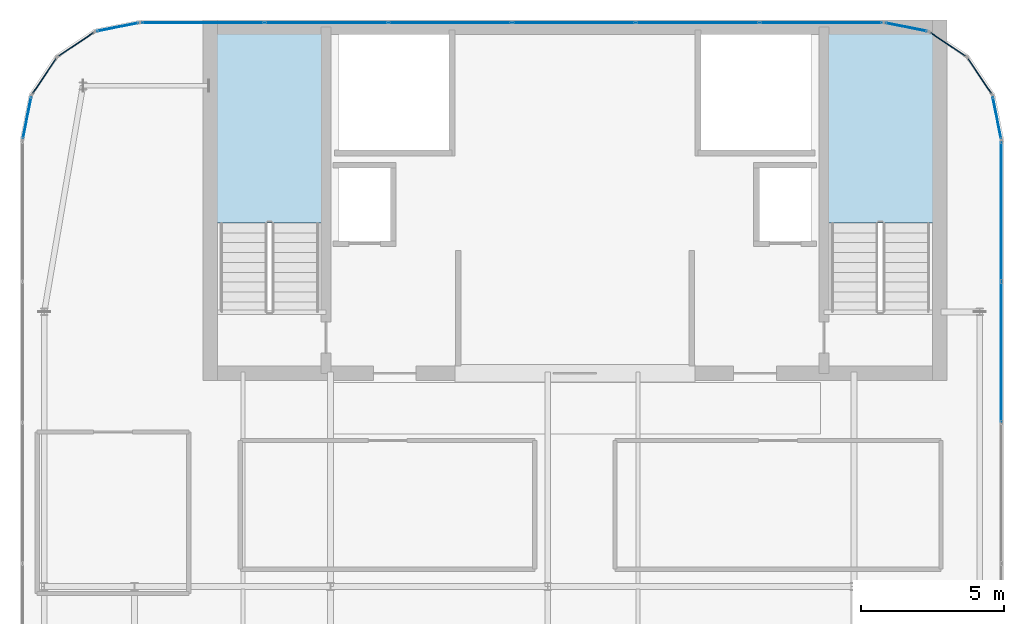
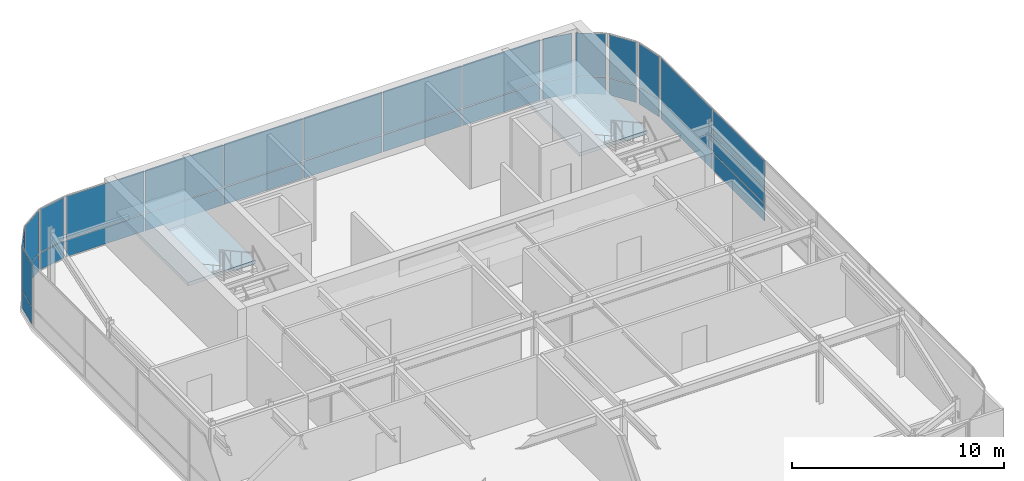
# One storey, part 30 of 36: 32 plates, 2 slabs, 12 elements without a shape of their own.
"""IFC4 building model written with IfcOpenShell, lengths in metres."""

import ifcopenshell
import ifcopenshell.guid

model = None  # the IFC model being written
_history = None  # IfcOwnerHistory: only IFC2X3 demands one
_inside = {}  # id of a spatial element -> (the spatial element, [elements in it])
_under = {}  # id of a project, library or spatial element -> (it, [spatial elements below it])
_declared = {}  # id of a project -> (the project, [libraries it declares])
_typed = {}  # id of a type object -> (the type object, [elements of that type])
_made_of = {}  # id of a material, layer set ... -> (it, [elements and type objects made of it])


def new_model(schema):
    """Start an empty IFC model of exactly this schema.

    Asked for "IFC4X3", IfcOpenShell would pick the latest addendum, in which some entities
    have other attributes; the version numbers below select the first issue.
    IFC2X3 requires an IfcOwnerHistory on every rooted entity: one is made here for all.
    """
    global model, _history
    if schema == "IFC4X3":
        model = ifcopenshell.file(schema_version=(4, 3, 0, 0))
    else:
        model = ifcopenshell.file(schema=schema)
    _inside.clear()
    _under.clear()
    _declared.clear()
    _typed.clear()
    _made_of.clear()
    _history = None
    if model.schema == "IFC2X3":
        org = make("IfcOrganization", Name="unknown")
        user = make(
            "IfcPersonAndOrganization",
            ThePerson=make("IfcPerson", FamilyName="unknown"),
            TheOrganization=org,
        )
        app = make(
            "IfcApplication",
            ApplicationDeveloper=org,
            Version="unknown",
            ApplicationFullName="unknown",
            ApplicationIdentifier="unknown",
        )
        _history = make(
            "IfcOwnerHistory",
            OwningUser=user,
            OwningApplication=app,
            ChangeAction="ADDED",
            CreationDate=0,
        )
    return model


def make(cls, **values):
    """One entity of the class cls with the attributes given. An attribute that is None is left unset."""
    return model.create_entity(
        cls, **{name: value for name, value in values.items() if value is not None}
    )


def rooted(cls, **values):
    """An entity with a GlobalId (a new one), such as an element, a storey or a relation."""
    return make(cls, GlobalId=ifcopenshell.guid.new(), OwnerHistory=_history, **values)


def si_unit(unit_type, name, prefix=None):
    """IfcSIUnit, for example si_unit("LENGTHUNIT", "METRE", prefix="MILLI")."""
    return make("IfcSIUnit", UnitType=unit_type, Prefix=prefix, Name=name)


def assignment(units):
    """IfcUnitAssignment: the units of a project."""
    return None if units is None else make("IfcUnitAssignment", Units=units)


def point(xyz):
    """IfcCartesianPoint."""
    return None if xyz is None else make("IfcCartesianPoint", Coordinates=xyz)


def direction(xyz):
    """IfcDirection."""
    return None if xyz is None else make("IfcDirection", DirectionRatios=xyz)


def frame(location, z_axis=None, x_axis=None):
    """IfcAxis2Placement3D, a coordinate frame: its origin and axes. An axis left out is left unset."""
    return make(
        "IfcAxis2Placement3D",
        Location=point(location),
        Axis=direction(z_axis),
        RefDirection=direction(x_axis),
    )


def frame_2d(location, x_axis=None):
    """IfcAxis2Placement2D, a coordinate frame in the plane: its origin and x axis."""
    return make(
        "IfcAxis2Placement2D", Location=point(location), RefDirection=direction(x_axis)
    )


def origin():
    """The frame at (0, 0, 0) with its axes left unset."""
    return frame((0.0, 0.0, 0.0))


def origin_2d():
    """The frame at (0, 0) in the plane with its x axis left unset."""
    return frame_2d((0.0, 0.0))


def place(relative_to, where):
    """IfcLocalPlacement: puts the frame where relative to a parent placement (None: the world)."""
    return make(
        "IfcLocalPlacement", PlacementRelTo=relative_to, RelativePlacement=where
    )


def context(
    kind, dimensions, precision=None, world=None, true_north=None, identifier=None
):
    """IfcGeometricRepresentationContext, for example the 3D "Model" context."""
    return make(
        "IfcGeometricRepresentationContext",
        ContextIdentifier=identifier,
        ContextType=kind,
        CoordinateSpaceDimension=dimensions,
        Precision=precision,
        WorldCoordinateSystem=world,
        TrueNorth=true_north,
    )


def subcontext(parent, identifier, kind, view, scale=None):
    """IfcGeometricRepresentationSubContext, for example "Body" below "Model"."""
    return make(
        "IfcGeometricRepresentationSubContext",
        ContextIdentifier=identifier,
        ContextType=kind,
        ParentContext=parent,
        TargetScale=scale,
        TargetView=view,
    )


def project(units=None, contexts=None):
    """IfcProject with its units and contexts."""
    return rooted(
        "IfcProject",
        Name="project",
        RepresentationContexts=contexts,
        UnitsInContext=assignment(units),
    )


def spatial(cls, under=None, at=None, **own):
    """A site, building, storey or space (cls), placed at a placement, below another one or the project."""
    s = rooted(cls, ObjectPlacement=at, **own)
    if under is not None:
        _under.setdefault(under.id(), (under, []))[1].append(s)
    return s


def polyline(points):
    """IfcPolyline through the points."""
    return make("IfcPolyline", Points=[point(p) for p in points])


def profile(cls, at=None, kind="AREA", **sizes):
    """A parametric profile (cls). Its sizes go by their IFC names, for example OverallWidth=200.0."""
    return make(cls, ProfileType=kind, Position=at, **sizes)


def rectangle(**sizes):
    """IfcRectangleProfileDef."""
    return profile("IfcRectangleProfileDef", **sizes)


def outline(outer, holes=None, kind="AREA"):
    """IfcArbitraryClosedProfileDef: a profile drawn as a closed curve; with holes, ...WithVoids."""
    if holes is None:
        return make("IfcArbitraryClosedProfileDef", ProfileType=kind, OuterCurve=outer)
    return make(
        "IfcArbitraryProfileDefWithVoids",
        ProfileType=kind,
        OuterCurve=outer,
        InnerCurves=holes,
    )


def extrude(swept, where, along, depth):
    """IfcExtrudedAreaSolid: the profile swept, set in the frame where, extruded along a direction by depth."""
    return make(
        "IfcExtrudedAreaSolid",
        SweptArea=swept,
        Position=where,
        ExtrudedDirection=direction(along),
        Depth=depth,
    )


def shape(context_of_items, identifier, shape_type, items):
    """IfcShapeRepresentation: the items that make up one representation, for example the "Body"."""
    return make(
        "IfcShapeRepresentation",
        ContextOfItems=context_of_items,
        RepresentationIdentifier=identifier,
        RepresentationType=shape_type,
        Items=items,
    )


def source(mapping_origin, context_of_items, identifier, shape_type, items):
    """IfcRepresentationMap: a shape defined once, which mapped items show again and again."""
    return make(
        "IfcRepresentationMap",
        MappingOrigin=mapping_origin,
        MappedRepresentation=shape(context_of_items, identifier, shape_type, items),
    )


def transform(
    local_origin,
    x_axis=None,
    y_axis=None,
    z_axis=None,
    scale=None,
    scale2=None,
    scale3=None,
    uniform=True,
):
    """IfcCartesianTransformationOperator3D, or its non-uniform kind. x_axis, y_axis, z_axis: its Axis1, 2, 3."""
    if uniform:
        return make(
            "IfcCartesianTransformationOperator3D",
            Axis1=direction(x_axis),
            Axis2=direction(y_axis),
            LocalOrigin=point(local_origin),
            Scale=scale,
            Axis3=direction(z_axis),
        )
    return make(
        "IfcCartesianTransformationOperator3DnonUniform",
        Axis1=direction(x_axis),
        Axis2=direction(y_axis),
        LocalOrigin=point(local_origin),
        Scale=scale,
        Axis3=direction(z_axis),
        Scale2=scale2,
        Scale3=scale3,
    )


def mapped(mapping_source, mapping_target):
    """IfcMappedItem: shows the shape of a source again, moved by a transform."""
    return make(
        "IfcMappedItem", MappingSource=mapping_source, MappingTarget=mapping_target
    )


def material(Name=None, Category=None):
    """IfcMaterial."""
    return make("IfcMaterial", Name=Name, Category=Category)


def layer(
    of_material, thickness, ventilated=None, Name=None, Category=None, Priority=None
):
    """IfcMaterialLayer: one layer of a wall or slab, of a material (None: an air gap)."""
    return make(
        "IfcMaterialLayer",
        Material=of_material,
        LayerThickness=thickness,
        IsVentilated=ventilated,
        Name=Name,
        Category=Category,
        Priority=Priority,
    )


def layer_set(layers, Name=None):
    """IfcMaterialLayerSet."""
    return make("IfcMaterialLayerSet", MaterialLayers=layers, LayerSetName=Name)


def made_of(thing, what):
    """Note that an element or type object is made of a material, layer set ...; save() writes the relation."""
    if what is not None:
        _made_of.setdefault(what.id(), (what, []))[1].append(thing)
    return thing


def type_object(cls, material=None, **own):
    """A type object (cls), such as IfcWallType, which elements share."""
    return made_of(rooted(cls, **own), material)


def type_shapes(of_type, sources):
    """Give a type object the sources (RepresentationMaps) that its elements show as mapped items."""
    of_type.RepresentationMaps = sources


def element(
    cls,
    number,
    at=None,
    inside=None,
    cuts=None,
    type_object=None,
    material=None,
    context=None,
    identifier="Body",
    shape_type=None,
    held_by="IfcProductDefinitionShape",
    body=None,
    shapes=None,
    **own,
):
    """One element of the class cls, such as IfcWall. Its Tag is "e" and its number.

    at: its placement. inside: the storey or other place that contains it. cuts: it is an
    opening in that element (IfcRelVoidsElement). A single representation is given by context,
    identifier, shape_type and body (its items); several are given by shapes. held_by: the class
    of the entity that holds the representations. save() writes the other relations.
    """
    e = rooted(cls, Tag="e%d" % number, ObjectPlacement=at, **own)
    if body is not None:
        shapes = [shape(context, identifier, shape_type, body)]
    if shapes is not None:
        e.Representation = make(held_by, Representations=shapes)
    if inside is not None:
        _inside.setdefault(inside.id(), (inside, []))[1].append(e)
    if cuts is not None:
        rooted(
            "IfcRelVoidsElement", RelatingBuildingElement=cuts, RelatedOpeningElement=e
        )
    if type_object is not None:
        _typed.setdefault(type_object.id(), (type_object, []))[1].append(e)
    return made_of(e, material)


def aggregate(whole, parts):
    """IfcRelAggregates: a whole, such as a stair, and the parts it consists of."""
    return rooted("IfcRelAggregates", RelatingObject=whole, RelatedObjects=parts)


def save(model, path):
    """Write the relations noted so far, then the file.

    IfcRelAggregates (storeys below a building ...), IfcRelContainedInSpatialStructure (elements
    in a storey), IfcRelDefinesByType, IfcRelAssociatesMaterial and IfcRelDeclares: one each for
    every whole, place, type object, material and project.
    """
    for whole, parts in _under.values():
        aggregate(whole, parts)
    for where, things in _inside.values():
        rooted(
            "IfcRelContainedInSpatialStructure",
            RelatedElements=things,
            RelatingStructure=where,
        )
    for kind, things in _typed.values():
        rooted("IfcRelDefinesByType", RelatedObjects=things, RelatingType=kind)
    for what, things in _made_of.values():
        rooted("IfcRelAssociatesMaterial", RelatedObjects=things, RelatingMaterial=what)
    for by, libraries in _declared.values():
        rooted("IfcRelDeclares", RelatingContext=by, RelatedDefinitions=libraries)
    model.write(path)


model = new_model("IFC4")

# Units and contexts
model_context = context("Model", 3, precision=1e-05, world=origin(), true_north=direction((0.0, 1.0)))
body_context = subcontext(model_context, "Body", "Model", "MODEL_VIEW")
ifc_project = project(units=[si_unit("LENGTHUNIT", "METRE"), si_unit("AREAUNIT", "SQUARE_METRE"), si_unit("VOLUMEUNIT", "CUBIC_METRE"), si_unit("PLANEANGLEUNIT", "RADIAN"), si_unit("MASSUNIT", "GRAM", prefix="KILO")], contexts=[model_context])

# Site, building, storey
site_placement = place(None, origin())
site = spatial("IfcSite", under=ifc_project, at=site_placement, CompositionType="ELEMENT")
building_placement = place(site_placement, origin())
building = spatial("IfcBuilding", under=site, at=building_placement, Name="Tolvann Quenvar Hotel", CompositionType="ELEMENT")
storey_placement = place(building_placement, frame((0.0, 0.0, 294.75)))
storey = spatial("IfcBuildingStorey", under=building, at=storey_placement, Name="L78", CompositionType="ELEMENT", Elevation=294.75)

# Stair, slab
ifc_material_1 = material(Name="Concrete N40 (40 MPa)", Category="concrete")
stair_type = type_object("IfcStairType", Name="STAIR", PredefinedType="HALF_TURN_STAIR", material=ifc_material_1)
stair_1_placement = place(storey_placement, origin())
stair_1 = element("IfcStair", 1, at=stair_1_placement, inside=storey, type_object=stair_type, Name="L78 ST-C1", PredefinedType="HALF_TURN_STAIR")
ifc_layer_1 = layer(ifc_material_1, 0.199951171875)
ifc_layer_set_1 = layer_set([ifc_layer_1], Name="Concrete N40 (40 MPa)")
slab_type = type_object("IfcSlabType", Name="SLAB_LANDING", PredefinedType="LANDING", material=ifc_layer_set_1)
slab_1_placement = place(storey_placement, frame((0.0, 0.0, 1.699951171875)))
slab_1 = element("IfcSlab", 2, at=slab_1_placement, type_object=slab_type, Name="ST-C1 landing 1", PredefinedType="LANDING", context=body_context, shape_type="SweptSolid", body=[
    extrude(outline(polyline([(14.179931640625, 37.10498046875), (14.179931640625, 43.8798828125), (10.469970703125, 43.8798828125), (10.469970703125, 37.10498046875), (14.179931640625, 37.10498046875)])), origin(), (0.0, 0.0, 1.0), 0.199951171875),
])
aggregate(stair_1, [slab_1])

stair_2_placement = place(storey_placement, origin())
stair_2 = element("IfcStair", 3, at=stair_2_placement, inside=storey, type_object=stair_type, Name="L78 ST-C2", PredefinedType="HALF_TURN_STAIR")
slab_2_placement = place(storey_placement, frame((0.0, 0.0, 1.699951171875)))
slab_2 = element("IfcSlab", 4, at=slab_2_placement, type_object=slab_type, Name="ST-C2 landing 1", PredefinedType="LANDING", context=body_context, shape_type="SweptSolid", body=[
    extrude(outline(polyline([(35.530029296875, 37.10498046875), (35.530029296875, 43.8798828125), (31.820068359375, 43.8798828125), (31.820068359375, 37.10498046875), (35.530029296875, 37.10498046875)])), origin(), (0.0, 0.0, 1.0), 0.199951171875),
])
aggregate(stair_2, [slab_2])

# Curtain wall, plate
ifc_material_2 = material(Name="Thermally broken anodised architectural aluminium 6063-T6 and laminated low-E glass", Category="aluminium")
ifc_layer_2 = layer(ifc_material_2, 0.179931640625)
ifc_layer_set_2 = layer_set([ifc_layer_2], Name="Thermally broken anodised architectural aluminium 6063-T6 and laminated low-E glass")
curtain_wall_type = type_object("IfcCurtainWallType", Name="CW_SYS_LANT_06", PredefinedType="USERDEFINED", material=ifc_layer_set_2)
curtain_wall_1_placement = place(storey_placement, origin())
curtain_wall_1 = element("IfcCurtainWall", 5, at=curtain_wall_1_placement, inside=storey, type_object=curtain_wall_type, Name="Curtain Wall CW-LANT-06 (CWR-L78-E11)", ObjectType="UNITISED CURTAIN WALL", PredefinedType="USERDEFINED")
ifc_material_3 = material(Name="Diffused translucent ceramic-frit laminated lantern glass", Category="glass")
ifc_layer_3 = layer(ifc_material_3, 0.031982421875)
ifc_layer_set_3 = layer_set([ifc_layer_3], Name="Diffused translucent ceramic-frit laminated lantern glass")
plate_type = type_object("IfcPlateType", Name="CW_PAN_LANT_32", PredefinedType="CURTAIN_PANEL", material=ifc_layer_set_3)
shared_shape_1 = source(origin(), body_context, "Body", "SweptSolid", [
    extrude(rectangle(XDim=1.439208984375, YDim=0.031982421875, at=origin_2d()), origin(), (0.0, 0.0, 1.0), 0.97509765625),
])
plate_1_placement = place(storey_placement, frame((37.150146484375, 42.238525390625, 0.050048828125), z_axis=(0.0, 0.0, 1.0), x_axis=(-0.555655769644, 0.831412452193, 0.0)))
plate_1 = element("IfcPlate", 6, at=plate_1_placement, type_object=plate_type, Name="CW-LANT-06 panel 1.1", PredefinedType="CURTAIN_PANEL", context=body_context, shape_type="MappedRepresentation", body=[
    mapped(shared_shape_1, transform((0.0, 0.0, 0.0), x_axis=(1.0, 0.0, 0.0), y_axis=(0.0, 1.0, 0.0), z_axis=(0.0, 0.0, 1.0), scale=1.0)),
])

curtain_wall_2_placement = place(storey_placement, origin())
curtain_wall_2 = element("IfcCurtainWall", 7, at=curtain_wall_2_placement, inside=storey, type_object=curtain_wall_type, Name="Curtain Wall CW-LANT-06 (CWR-L78-E12)", ObjectType="UNITISED CURTAIN WALL", PredefinedType="USERDEFINED")
plate_2_placement = place(storey_placement, frame((36.03857421875, 43.350341796875, 0.050048828125), z_axis=(0.0, 0.0, 1.0), x_axis=(-0.831412452193, 0.555655769644, 0.0)))
plate_2 = element("IfcPlate", 8, at=plate_2_placement, type_object=plate_type, Name="CW-LANT-06 panel 1.1", PredefinedType="CURTAIN_PANEL", context=body_context, shape_type="MappedRepresentation", body=[
    mapped(shared_shape_1, transform((0.0, 0.0, 0.0), x_axis=(1.0, 0.0, 0.0), y_axis=(0.0, 1.0, 0.0), z_axis=(0.0, 0.0, 1.0), scale=1.0)),
])

curtain_wall_3_placement = place(storey_placement, origin())
curtain_wall_3 = element("IfcCurtainWall", 9, at=curtain_wall_3_placement, inside=storey, type_object=curtain_wall_type, Name="Curtain Wall CW-LANT-06 (CWR-L78-E16)", ObjectType="UNITISED CURTAIN WALL", PredefinedType="USERDEFINED")
plate_3_placement = place(storey_placement, frame((5.5615234375, 43.350341796875, 0.050048828125), z_axis=(0.0, 0.0, 1.0), x_axis=(-0.831412452193, -0.555655769644, 0.0)))
plate_3 = element("IfcPlate", 10, at=plate_3_placement, type_object=plate_type, Name="CW-LANT-06 panel 1.1", PredefinedType="CURTAIN_PANEL", context=body_context, shape_type="MappedRepresentation", body=[
    mapped(shared_shape_1, transform((0.0, 0.0, 0.0), x_axis=(1.0, 0.0, 0.0), y_axis=(0.0, 1.0, 0.0), z_axis=(0.0, 0.0, 1.0), scale=1.0)),
])

curtain_wall_4_placement = place(storey_placement, origin())
curtain_wall_4 = element("IfcCurtainWall", 11, at=curtain_wall_4_placement, inside=storey, type_object=curtain_wall_type, Name="Curtain Wall CW-LANT-06 (CWR-L78-E17)", ObjectType="UNITISED CURTAIN WALL", PredefinedType="USERDEFINED")
plate_4_placement = place(storey_placement, frame((4.44970703125, 42.238525390625, 0.050048828125), z_axis=(0.0, 0.0, 1.0), x_axis=(-0.555655769644, -0.831412452193, 0.0)))
plate_4 = element("IfcPlate", 12, at=plate_4_placement, type_object=plate_type, Name="CW-LANT-06 panel 1.1", PredefinedType="CURTAIN_PANEL", context=body_context, shape_type="MappedRepresentation", body=[
    mapped(shared_shape_1, transform((0.0, 0.0, 0.0), x_axis=(1.0, 0.0, 0.0), y_axis=(0.0, 1.0, 0.0), z_axis=(0.0, 0.0, 1.0), scale=1.0)),
])

# Plate
shared_shape_2 = source(origin(), body_context, "Body", "SweptSolid", [
    extrude(rectangle(XDim=1.439208984375, YDim=0.031982421875, at=origin_2d()), origin(), (0.0, 0.0, 1.0), 2.455078125),
])
plate_5_placement = place(storey_placement, frame((37.150146484375, 42.238525390625, 1.074951171875), z_axis=(0.0, 0.0, 1.0), x_axis=(-0.555655769644, 0.831412452193, 0.0)))
plate_5 = element("IfcPlate", 13, at=plate_5_placement, type_object=plate_type, Name="CW-LANT-06 panel 1.2", PredefinedType="CURTAIN_PANEL", context=body_context, shape_type="MappedRepresentation", body=[
    mapped(shared_shape_2, transform((0.0, 0.0, 0.0), x_axis=(1.0, 0.0, 0.0), y_axis=(0.0, 1.0, 0.0), z_axis=(0.0, 0.0, 1.0), scale=1.0)),
])

aggregate(curtain_wall_1, [plate_1, plate_5])

plate_6_placement = place(storey_placement, frame((36.03857421875, 43.350341796875, 1.074951171875), z_axis=(0.0, 0.0, 1.0), x_axis=(-0.831412452193, 0.555655769644, 0.0)))
plate_6 = element("IfcPlate", 14, at=plate_6_placement, type_object=plate_type, Name="CW-LANT-06 panel 1.2", PredefinedType="CURTAIN_PANEL", context=body_context, shape_type="MappedRepresentation", body=[
    mapped(shared_shape_2, transform((0.0, 0.0, 0.0), x_axis=(1.0, 0.0, 0.0), y_axis=(0.0, 1.0, 0.0), z_axis=(0.0, 0.0, 1.0), scale=1.0)),
])

aggregate(curtain_wall_2, [plate_2, plate_6])

plate_7_placement = place(storey_placement, frame((5.5615234375, 43.350341796875, 1.074951171875), z_axis=(0.0, 0.0, 1.0), x_axis=(-0.831412452193, -0.555655769644, 0.0)))
plate_7 = element("IfcPlate", 15, at=plate_7_placement, type_object=plate_type, Name="CW-LANT-06 panel 1.2", PredefinedType="CURTAIN_PANEL", context=body_context, shape_type="MappedRepresentation", body=[
    mapped(shared_shape_2, transform((0.0, 0.0, 0.0), x_axis=(1.0, 0.0, 0.0), y_axis=(0.0, 1.0, 0.0), z_axis=(0.0, 0.0, 1.0), scale=1.0)),
])

aggregate(curtain_wall_3, [plate_3, plate_7])

plate_8_placement = place(storey_placement, frame((4.44970703125, 42.238525390625, 1.074951171875), z_axis=(0.0, 0.0, 1.0), x_axis=(-0.555655769644, -0.831412452193, 0.0)))
plate_8 = element("IfcPlate", 16, at=plate_8_placement, type_object=plate_type, Name="CW-LANT-06 panel 1.2", PredefinedType="CURTAIN_PANEL", context=body_context, shape_type="MappedRepresentation", body=[
    mapped(shared_shape_2, transform((0.0, 0.0, 0.0), x_axis=(1.0, 0.0, 0.0), y_axis=(0.0, 1.0, 0.0), z_axis=(0.0, 0.0, 1.0), scale=1.0)),
])

aggregate(curtain_wall_4, [plate_4, plate_8])

# Curtain wall, plate
curtain_wall_5_placement = place(storey_placement, origin())
curtain_wall_5 = element("IfcCurtainWall", 17, at=curtain_wall_5_placement, inside=storey, type_object=curtain_wall_type, Name="Curtain Wall CW-LANT-06 (CWR-L78-E10)", ObjectType="UNITISED CURTAIN WALL", PredefinedType="USERDEFINED")
shared_shape_3 = source(origin(), body_context, "Body", "SweptSolid", [
    extrude(rectangle(XDim=1.456787109375, YDim=0.031982421875, at=origin_2d()), origin(), (0.0, 0.0, 1.0), 0.97509765625),
])
plate_9_placement = place(storey_placement, frame((37.753662109375, 40.777587890625, 0.050048828125), z_axis=(0.0, 0.0, 1.0), x_axis=(-0.195061569369, 0.980790999222, 0.0)))
plate_9 = element("IfcPlate", 18, at=plate_9_placement, type_object=plate_type, Name="CW-LANT-06 panel 1.1", PredefinedType="CURTAIN_PANEL", context=body_context, shape_type="MappedRepresentation", body=[
    mapped(shared_shape_3, transform((0.0, 0.0, 0.0), x_axis=(1.0, 0.0, 0.0), y_axis=(0.0, 1.0, 0.0), z_axis=(0.0, 0.0, 1.0), scale=1.0)),
])

curtain_wall_6_placement = place(storey_placement, origin())
curtain_wall_6 = element("IfcCurtainWall", 19, at=curtain_wall_6_placement, inside=storey, type_object=curtain_wall_type, Name="Curtain Wall CW-LANT-06 (CWR-L78-E13)", ObjectType="UNITISED CURTAIN WALL", PredefinedType="USERDEFINED")
plate_10_placement = place(storey_placement, frame((34.577392578125, 43.95361328125, 0.050048828125), z_axis=(0.0, 0.0, 1.0), x_axis=(-0.980790999222, 0.195061569369, 0.0)))
plate_10 = element("IfcPlate", 20, at=plate_10_placement, type_object=plate_type, Name="CW-LANT-06 panel 1.1", PredefinedType="CURTAIN_PANEL", context=body_context, shape_type="MappedRepresentation", body=[
    mapped(shared_shape_3, transform((0.0, 0.0, 0.0), x_axis=(1.0, 0.0, 0.0), y_axis=(0.0, 1.0, 0.0), z_axis=(0.0, 0.0, 1.0), scale=1.0)),
])

curtain_wall_7_placement = place(storey_placement, origin())
curtain_wall_7 = element("IfcCurtainWall", 21, at=curtain_wall_7_placement, inside=storey, type_object=curtain_wall_type, Name="Curtain Wall CW-LANT-06 (CWR-L78-E15)", ObjectType="UNITISED CURTAIN WALL", PredefinedType="USERDEFINED")
plate_11_placement = place(storey_placement, frame((7.0224609375, 43.95361328125, 0.050048828125), z_axis=(0.0, 0.0, 1.0), x_axis=(-0.980790999222, -0.195061569369, 0.0)))
plate_11 = element("IfcPlate", 22, at=plate_11_placement, type_object=plate_type, Name="CW-LANT-06 panel 1.1", PredefinedType="CURTAIN_PANEL", context=body_context, shape_type="MappedRepresentation", body=[
    mapped(shared_shape_3, transform((0.0, 0.0, 0.0), x_axis=(1.0, 0.0, 0.0), y_axis=(0.0, 1.0, 0.0), z_axis=(0.0, 0.0, 1.0), scale=1.0)),
])

curtain_wall_8_placement = place(storey_placement, origin())
curtain_wall_8 = element("IfcCurtainWall", 23, at=curtain_wall_8_placement, inside=storey, type_object=curtain_wall_type, Name="Curtain Wall CW-LANT-06 (CWR-L78-E18)", ObjectType="UNITISED CURTAIN WALL", PredefinedType="USERDEFINED")
plate_12_placement = place(storey_placement, frame((3.846435546875, 40.777587890625, 0.050048828125), z_axis=(0.0, 0.0, 1.0), x_axis=(-0.195061569369, -0.980790999222, 0.0)))
plate_12 = element("IfcPlate", 24, at=plate_12_placement, type_object=plate_type, Name="CW-LANT-06 panel 1.1", PredefinedType="CURTAIN_PANEL", context=body_context, shape_type="MappedRepresentation", body=[
    mapped(shared_shape_3, transform((0.0, 0.0, 0.0), x_axis=(1.0, 0.0, 0.0), y_axis=(0.0, 1.0, 0.0), z_axis=(0.0, 0.0, 1.0), scale=1.0)),
])

# Plate
shared_shape_4 = source(origin(), body_context, "Body", "SweptSolid", [
    extrude(rectangle(XDim=1.456787109375, YDim=0.031982421875, at=origin_2d()), origin(), (0.0, 0.0, 1.0), 2.455078125),
])
plate_13_placement = place(storey_placement, frame((37.753662109375, 40.777587890625, 1.074951171875), z_axis=(0.0, 0.0, 1.0), x_axis=(-0.195061569369, 0.980790999222, 0.0)))
plate_13 = element("IfcPlate", 25, at=plate_13_placement, type_object=plate_type, Name="CW-LANT-06 panel 1.2", PredefinedType="CURTAIN_PANEL", context=body_context, shape_type="MappedRepresentation", body=[
    mapped(shared_shape_4, transform((0.0, 0.0, 0.0), x_axis=(1.0, 0.0, 0.0), y_axis=(0.0, 1.0, 0.0), z_axis=(0.0, 0.0, 1.0), scale=1.0)),
])

aggregate(curtain_wall_5, [plate_9, plate_13])

plate_14_placement = place(storey_placement, frame((34.577392578125, 43.95361328125, 1.074951171875), z_axis=(0.0, 0.0, 1.0), x_axis=(-0.980790999222, 0.195061569369, 0.0)))
plate_14 = element("IfcPlate", 26, at=plate_14_placement, type_object=plate_type, Name="CW-LANT-06 panel 1.2", PredefinedType="CURTAIN_PANEL", context=body_context, shape_type="MappedRepresentation", body=[
    mapped(shared_shape_4, transform((0.0, 0.0, 0.0), x_axis=(1.0, 0.0, 0.0), y_axis=(0.0, 1.0, 0.0), z_axis=(0.0, 0.0, 1.0), scale=1.0)),
])

aggregate(curtain_wall_6, [plate_10, plate_14])

plate_15_placement = place(storey_placement, frame((7.0224609375, 43.95361328125, 1.074951171875), z_axis=(0.0, 0.0, 1.0), x_axis=(-0.980790999222, -0.195061569369, 0.0)))
plate_15 = element("IfcPlate", 27, at=plate_15_placement, type_object=plate_type, Name="CW-LANT-06 panel 1.2", PredefinedType="CURTAIN_PANEL", context=body_context, shape_type="MappedRepresentation", body=[
    mapped(shared_shape_4, transform((0.0, 0.0, 0.0), x_axis=(1.0, 0.0, 0.0), y_axis=(0.0, 1.0, 0.0), z_axis=(0.0, 0.0, 1.0), scale=1.0)),
])

aggregate(curtain_wall_7, [plate_11, plate_15])

plate_16_placement = place(storey_placement, frame((3.846435546875, 40.777587890625, 1.074951171875), z_axis=(0.0, 0.0, 1.0), x_axis=(-0.195061569369, -0.980790999222, 0.0)))
plate_16 = element("IfcPlate", 28, at=plate_16_placement, type_object=plate_type, Name="CW-LANT-06 panel 1.2", PredefinedType="CURTAIN_PANEL", context=body_context, shape_type="MappedRepresentation", body=[
    mapped(shared_shape_4, transform((0.0, 0.0, 0.0), x_axis=(1.0, 0.0, 0.0), y_axis=(0.0, 1.0, 0.0), z_axis=(0.0, 0.0, 1.0), scale=1.0)),
])

aggregate(curtain_wall_8, [plate_12, plate_16])

# Curtain wall, plates
curtain_wall_9_placement = place(storey_placement, origin())
curtain_wall_9 = element("IfcCurtainWall", 29, at=curtain_wall_9_placement, inside=storey, type_object=curtain_wall_type, Name="Curtain Wall CW-LANT-06 (CWR-L78-E14)", ObjectType="UNITISED CURTAIN WALL", PredefinedType="USERDEFINED")
shared_shape_5 = source(origin(), body_context, "Body", "SweptSolid", [
    extrude(rectangle(XDim=4.22998046875, YDim=0.031982421875, at=origin_2d()), origin(), (0.0, 0.0, 1.0), 0.97509765625),
])
plate_17_placement = place(storey_placement, frame((31.602783203125, 44.110107421875, 0.050048828125), z_axis=(0.0, 0.0, 1.0), x_axis=(-1.0, 0.0, 0.0)))
plate_17 = element("IfcPlate", 30, at=plate_17_placement, type_object=plate_type, Name="CW-LANT-06 panel 1.1", PredefinedType="CURTAIN_PANEL", context=body_context, shape_type="MappedRepresentation", body=[
    mapped(shared_shape_5, transform((0.0, 0.0, 0.0), x_axis=(1.0, 0.0, 0.0), y_axis=(0.0, 1.0, 0.0), z_axis=(0.0, 0.0, 1.0), scale=1.0)),
])
plate_18_placement = place(storey_placement, frame((9.997314453125, 44.110107421875, 0.050048828125), z_axis=(0.0, 0.0, 1.0), x_axis=(-1.0, 0.0, 0.0)))
plate_18 = element("IfcPlate", 31, at=plate_18_placement, type_object=plate_type, Name="CW-LANT-06 panel 6.1", PredefinedType="CURTAIN_PANEL", context=body_context, shape_type="MappedRepresentation", body=[
    mapped(shared_shape_5, transform((0.0, 0.0, 0.0), x_axis=(1.0, 0.0, 0.0), y_axis=(0.0, 1.0, 0.0), z_axis=(0.0, 0.0, 1.0), scale=1.0)),
])
shared_shape_6 = source(origin(), body_context, "Body", "SweptSolid", [
    extrude(rectangle(XDim=4.22998046875, YDim=0.031982421875, at=origin_2d()), origin(), (0.0, 0.0, 1.0), 2.455078125),
])
plate_19_placement = place(storey_placement, frame((31.602783203125, 44.110107421875, 1.074951171875), z_axis=(0.0, 0.0, 1.0), x_axis=(-1.0, 0.0, 0.0)))
plate_19 = element("IfcPlate", 32, at=plate_19_placement, type_object=plate_type, Name="CW-LANT-06 panel 1.2", PredefinedType="CURTAIN_PANEL", context=body_context, shape_type="MappedRepresentation", body=[
    mapped(shared_shape_6, transform((0.0, 0.0, 0.0), x_axis=(1.0, 0.0, 0.0), y_axis=(0.0, 1.0, 0.0), z_axis=(0.0, 0.0, 1.0), scale=1.0)),
])
plate_20_placement = place(storey_placement, frame((9.997314453125, 44.110107421875, 1.074951171875), z_axis=(0.0, 0.0, 1.0), x_axis=(-1.0, 0.0, 0.0)))
plate_20 = element("IfcPlate", 33, at=plate_20_placement, type_object=plate_type, Name="CW-LANT-06 panel 6.2", PredefinedType="CURTAIN_PANEL", context=body_context, shape_type="MappedRepresentation", body=[
    mapped(shared_shape_6, transform((0.0, 0.0, 0.0), x_axis=(1.0, 0.0, 0.0), y_axis=(0.0, 1.0, 0.0), z_axis=(0.0, 0.0, 1.0), scale=1.0)),
])
shared_shape_7 = source(origin(), body_context, "Body", "SweptSolid", [
    extrude(rectangle(XDim=4.2626953125, YDim=0.031982421875, at=origin_2d()), origin(), (0.0, 0.0, 1.0), 0.97509765625),
])
plate_21_placement = place(storey_placement, frame((27.29150390625, 44.110107421875, 0.050048828125), z_axis=(0.0, 0.0, 1.0), x_axis=(-1.0, 0.0, 0.0)))
plate_21 = element("IfcPlate", 34, at=plate_21_placement, type_object=plate_type, Name="CW-LANT-06 panel 2.1", PredefinedType="CURTAIN_PANEL", context=body_context, shape_type="MappedRepresentation", body=[
    mapped(shared_shape_7, transform((0.0, 0.0, 0.0), x_axis=(1.0, 0.0, 0.0), y_axis=(0.0, 1.0, 0.0), z_axis=(0.0, 0.0, 1.0), scale=1.0)),
])
plate_22_placement = place(storey_placement, frame((22.9638671875, 44.110107421875, 0.050048828125), z_axis=(0.0, 0.0, 1.0), x_axis=(-1.0, 0.0, 0.0)))
plate_22 = element("IfcPlate", 35, at=plate_22_placement, type_object=plate_type, Name="CW-LANT-06 panel 3.1", PredefinedType="CURTAIN_PANEL", context=body_context, shape_type="MappedRepresentation", body=[
    mapped(shared_shape_7, transform((0.0, 0.0, 0.0), x_axis=(1.0, 0.0, 0.0), y_axis=(0.0, 1.0, 0.0), z_axis=(0.0, 0.0, 1.0), scale=1.0)),
])
plate_23_placement = place(storey_placement, frame((18.63623046875, 44.110107421875, 0.050048828125), z_axis=(0.0, 0.0, 1.0), x_axis=(-1.0, 0.0, 0.0)))
plate_23 = element("IfcPlate", 36, at=plate_23_placement, type_object=plate_type, Name="CW-LANT-06 panel 4.1", PredefinedType="CURTAIN_PANEL", context=body_context, shape_type="MappedRepresentation", body=[
    mapped(shared_shape_7, transform((0.0, 0.0, 0.0), x_axis=(1.0, 0.0, 0.0), y_axis=(0.0, 1.0, 0.0), z_axis=(0.0, 0.0, 1.0), scale=1.0)),
])
plate_24_placement = place(storey_placement, frame((14.30859375, 44.110107421875, 0.050048828125), z_axis=(0.0, 0.0, 1.0), x_axis=(-1.0, 0.0, 0.0)))
plate_24 = element("IfcPlate", 37, at=plate_24_placement, type_object=plate_type, Name="CW-LANT-06 panel 5.1", PredefinedType="CURTAIN_PANEL", context=body_context, shape_type="MappedRepresentation", body=[
    mapped(shared_shape_7, transform((0.0, 0.0, 0.0), x_axis=(1.0, 0.0, 0.0), y_axis=(0.0, 1.0, 0.0), z_axis=(0.0, 0.0, 1.0), scale=1.0)),
])
shared_shape_8 = source(origin(), body_context, "Body", "SweptSolid", [
    extrude(rectangle(XDim=4.2626953125, YDim=0.031982421875, at=origin_2d()), origin(), (0.0, 0.0, 1.0), 2.455078125),
])
plate_25_placement = place(storey_placement, frame((27.29150390625, 44.110107421875, 1.074951171875), z_axis=(0.0, 0.0, 1.0), x_axis=(-1.0, 0.0, 0.0)))
plate_25 = element("IfcPlate", 38, at=plate_25_placement, type_object=plate_type, Name="CW-LANT-06 panel 2.2", PredefinedType="CURTAIN_PANEL", context=body_context, shape_type="MappedRepresentation", body=[
    mapped(shared_shape_8, transform((0.0, 0.0, 0.0), x_axis=(1.0, 0.0, 0.0), y_axis=(0.0, 1.0, 0.0), z_axis=(0.0, 0.0, 1.0), scale=1.0)),
])
plate_26_placement = place(storey_placement, frame((22.9638671875, 44.110107421875, 1.074951171875), z_axis=(0.0, 0.0, 1.0), x_axis=(-1.0, 0.0, 0.0)))
plate_26 = element("IfcPlate", 39, at=plate_26_placement, type_object=plate_type, Name="CW-LANT-06 panel 3.2", PredefinedType="CURTAIN_PANEL", context=body_context, shape_type="MappedRepresentation", body=[
    mapped(shared_shape_8, transform((0.0, 0.0, 0.0), x_axis=(1.0, 0.0, 0.0), y_axis=(0.0, 1.0, 0.0), z_axis=(0.0, 0.0, 1.0), scale=1.0)),
])
plate_27_placement = place(storey_placement, frame((18.63623046875, 44.110107421875, 1.074951171875), z_axis=(0.0, 0.0, 1.0), x_axis=(-1.0, 0.0, 0.0)))
plate_27 = element("IfcPlate", 40, at=plate_27_placement, type_object=plate_type, Name="CW-LANT-06 panel 4.2", PredefinedType="CURTAIN_PANEL", context=body_context, shape_type="MappedRepresentation", body=[
    mapped(shared_shape_8, transform((0.0, 0.0, 0.0), x_axis=(1.0, 0.0, 0.0), y_axis=(0.0, 1.0, 0.0), z_axis=(0.0, 0.0, 1.0), scale=1.0)),
])
plate_28_placement = place(storey_placement, frame((14.30859375, 44.110107421875, 1.074951171875), z_axis=(0.0, 0.0, 1.0), x_axis=(-1.0, 0.0, 0.0)))
plate_28 = element("IfcPlate", 41, at=plate_28_placement, type_object=plate_type, Name="CW-LANT-06 panel 5.2", PredefinedType="CURTAIN_PANEL", context=body_context, shape_type="MappedRepresentation", body=[
    mapped(shared_shape_8, transform((0.0, 0.0, 0.0), x_axis=(1.0, 0.0, 0.0), y_axis=(0.0, 1.0, 0.0), z_axis=(0.0, 0.0, 1.0), scale=1.0)),
])
aggregate(curtain_wall_9, [plate_17, plate_19, plate_21, plate_25, plate_22, plate_26, plate_23, plate_27, plate_24, plate_28, plate_18, plate_20])

curtain_wall_10_placement = place(storey_placement, origin())
curtain_wall_10 = element("IfcCurtainWall", 42, at=curtain_wall_10_placement, inside=storey, type_object=curtain_wall_type, Name="Curtain Wall CW-LANT-06 (CWR-L78-E09)", ObjectType="UNITISED CURTAIN WALL", PredefinedType="USERDEFINED")
shared_shape_9 = source(origin(), body_context, "Body", "SweptSolid", [
    extrude(rectangle(XDim=4.830078125, YDim=0.031982421875, at=origin_2d()), origin(), (0.0, 0.0, 1.0), 0.97509765625),
])
plate_29_placement = place(storey_placement, frame((37.909912109375, 37.502685546875, 0.050048828125), z_axis=(0.0, 0.0, 1.0), x_axis=(0.0, 1.0, 0.0)))
plate_29 = element("IfcPlate", 43, at=plate_29_placement, type_object=plate_type, Name="CW-LANT-06 panel 6.1", PredefinedType="CURTAIN_PANEL", context=body_context, shape_type="MappedRepresentation", body=[
    mapped(shared_shape_9, transform((0.0, 0.0, 0.0), x_axis=(1.0, 0.0, 0.0), y_axis=(0.0, 1.0, 0.0), z_axis=(0.0, 0.0, 1.0), scale=1.0)),
])
shared_shape_10 = source(origin(), body_context, "Body", "SweptSolid", [
    extrude(rectangle(XDim=4.830078125, YDim=0.031982421875, at=origin_2d()), origin(), (0.0, 0.0, 1.0), 2.455078125),
])
plate_30_placement = place(storey_placement, frame((37.909912109375, 37.502685546875, 1.074951171875), z_axis=(0.0, 0.0, 1.0), x_axis=(0.0, 1.0, 0.0)))
plate_30 = element("IfcPlate", 44, at=plate_30_placement, type_object=plate_type, Name="CW-LANT-06 panel 6.2", PredefinedType="CURTAIN_PANEL", context=body_context, shape_type="MappedRepresentation", body=[
    mapped(shared_shape_10, transform((0.0, 0.0, 0.0), x_axis=(1.0, 0.0, 0.0), y_axis=(0.0, 1.0, 0.0), z_axis=(0.0, 0.0, 1.0), scale=1.0)),
])
shared_shape_11 = source(origin(), body_context, "Body", "SweptSolid", [
    extrude(rectangle(XDim=4.862548828125, YDim=0.031982421875, at=origin_2d()), origin(), (0.0, 0.0, 1.0), 0.97509765625),
])
plate_31_placement = place(storey_placement, frame((37.909912109375, 32.59130859375, 0.050048828125), z_axis=(0.0, 0.0, 1.0), x_axis=(0.0, 1.0, 0.0)))
plate_31 = element("IfcPlate", 45, at=plate_31_placement, type_object=plate_type, Name="CW-LANT-06 panel 5.1", PredefinedType="CURTAIN_PANEL", context=body_context, shape_type="MappedRepresentation", body=[
    mapped(shared_shape_11, transform((0.0, 0.0, 0.0), x_axis=(1.0, 0.0, 0.0), y_axis=(0.0, 1.0, 0.0), z_axis=(0.0, 0.0, 1.0), scale=1.0)),
])
shared_shape_12 = source(origin(), body_context, "Body", "SweptSolid", [
    extrude(rectangle(XDim=4.862548828125, YDim=0.031982421875, at=origin_2d()), origin(), (0.0, 0.0, 1.0), 2.455078125),
])
type_shapes(plate_type, [shared_shape_1, shared_shape_2, shared_shape_3, shared_shape_4, shared_shape_5, shared_shape_6, shared_shape_7, shared_shape_8, shared_shape_9, shared_shape_10, shared_shape_11, shared_shape_12])
plate_32_placement = place(storey_placement, frame((37.909912109375, 32.59130859375, 1.074951171875), z_axis=(0.0, 0.0, 1.0), x_axis=(0.0, 1.0, 0.0)))
plate_32 = element("IfcPlate", 46, at=plate_32_placement, type_object=plate_type, Name="CW-LANT-06 panel 5.2", PredefinedType="CURTAIN_PANEL", context=body_context, shape_type="MappedRepresentation", body=[
    mapped(shared_shape_12, transform((0.0, 0.0, 0.0), x_axis=(1.0, 0.0, 0.0), y_axis=(0.0, 1.0, 0.0), z_axis=(0.0, 0.0, 1.0), scale=1.0)),
])
aggregate(curtain_wall_10, [plate_31, plate_32, plate_29, plate_30])

save(model, "model.ifc")
